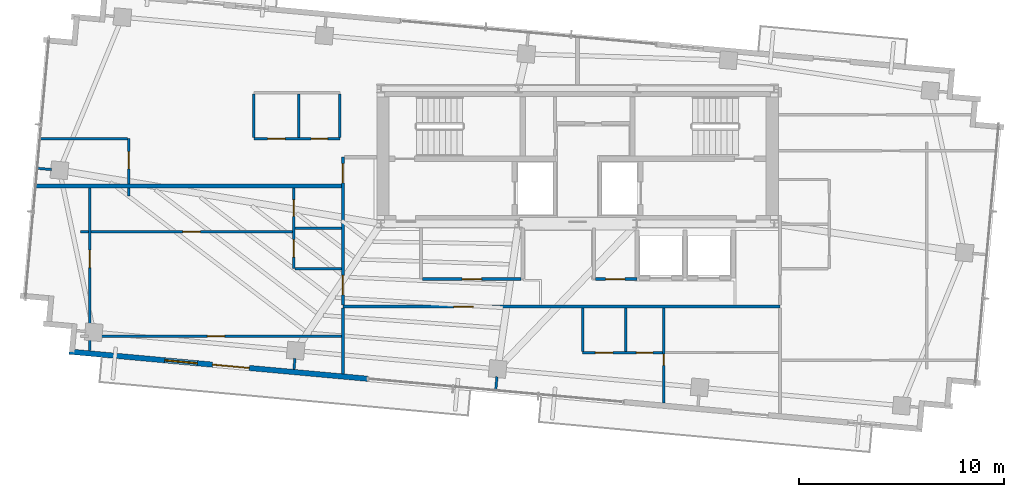
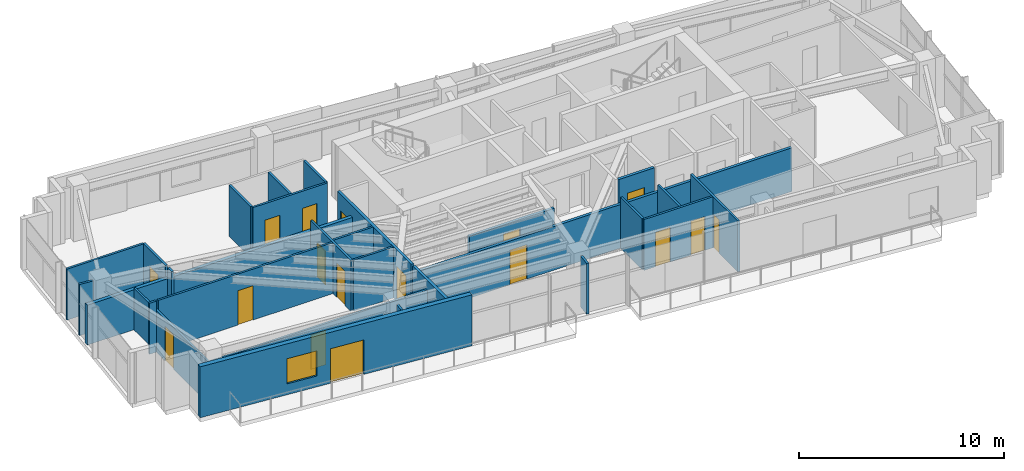
# One storey, part 16 of 22: 28 walls, 17 doors, 1 window, 18 openings.
"""IFC4 building model written with IfcOpenShell, lengths in metres."""

from ifc_helpers import new_model, si_unit, direction, frame, frame_2d, origin, place, context, subcontext, project, spatial, rectangle, extrude, source, transform, mapped, material, layer, layer_set, type_object, type_shapes, element, fill, save


model = new_model("IFC4")

# Units and contexts
model_context = context("Model", 3, precision=1e-05, world=origin(), true_north=direction((0.0, 1.0)))
body_context = subcontext(model_context, "Body", "Model", "MODEL_VIEW")
ifc_project = project(units=[si_unit("LENGTHUNIT", "METRE"), si_unit("AREAUNIT", "SQUARE_METRE"), si_unit("VOLUMEUNIT", "CUBIC_METRE"), si_unit("PLANEANGLEUNIT", "RADIAN"), si_unit("MASSUNIT", "GRAM", prefix="KILO")], contexts=[model_context])

# Site, building, storey
site_placement = place(None, origin())
site = spatial("IfcSite", under=ifc_project, at=site_placement, CompositionType="ELEMENT")
building_placement = place(site_placement, origin())
building = spatial("IfcBuilding", under=site, at=building_placement, Name="Astriad Promenade Condominiums", CompositionType="ELEMENT")
storey_placement = place(building_placement, frame((0.0, 0.0, 252.89990234375)))
storey = spatial("IfcBuildingStorey", under=building, at=storey_placement, Name="L73", CompositionType="ELEMENT", Elevation=252.89990234375)

# Wall, opening, door
ifc_material_1 = material(Name="Fire-Rated Gypsum Partition")
ifc_layer_1 = layer(ifc_material_1, 0.159912109375)
ifc_layer_set_1 = layer_set([ifc_layer_1], Name="Fire-Rated Gypsum Partition")
wall_type_1 = type_object("IfcWallType", Name="WALL-CORR-160", PredefinedType="PARTITIONING", material=ifc_layer_set_1)
wall_1_placement = place(storey_placement, frame((24.550048828125, 13.360107421875, 0.0), z_axis=(0.0, 0.0, 1.0), x_axis=(1.0, 0.0, 0.0)))
wall_1 = element("IfcWall", 1, at=wall_1_placement, inside=storey, type_object=wall_type_1, Name="PT-COR-S-L73", PredefinedType="PARTITIONING", context=body_context, shape_type="SweptSolid", body=[
    extrude(rectangle(XDim=21.329833984375, YDim=0.159912109375, at=frame_2d((10.6650390625, 0.0))), origin(), (0.0, 0.0, 1.0), 2.604736328125),
])
opening_1_placement = place(wall_1_placement, frame((5.4150390625, 0.0, 0.0)))
opening_1 = element("IfcOpeningElement", 2, at=opening_1_placement, cuts=wall_1, Name="Opening FD60-APT-095", PredefinedType="OPENING", context=body_context, shape_type="SweptSolid", body=[
    extrude(rectangle(XDim=0.949951171875, YDim=2.06005859375, at=frame_2d((0.47509765625, 1.030029296875))), frame((0.0, 0.08984375, 0.0), z_axis=(0.0, -1.0, 0.0), x_axis=(1.0, 0.0, 0.0)), (0.0, 0.0, 1.0), 0.179931640625),
])
ifc_material_2 = material(Name="Solid-Core Acoustic Timber Residence Entry Door", Category="wood")
door_type_1 = type_object("IfcDoorType", Name="FD60-APT-095", OperationType="NOTDEFINED", PredefinedType="DOOR", material=ifc_material_2)
shared_shape_1 = source(origin(), body_context, "Body", "SweptSolid", [
    extrude(rectangle(XDim=0.949951171875, YDim=2.06005859375, at=frame_2d((0.47509765625, 1.030029296875))), frame((0.0, 0.02490234375, 0.0), z_axis=(0.0, -1.0, 0.0), x_axis=(1.0, 0.0, 0.0)), (0.0, 0.0, 1.0), 0.050048828125),
])
type_shapes(door_type_1, [shared_shape_1])
door_1_placement = place(opening_1_placement, origin())
door_1 = element("IfcDoor", 3, at=door_1_placement, inside=storey, type_object=door_type_1, Name="D-ENT-L73-S1", OperationType="SINGLE_SWING_RIGHT", OverallHeight=2.06005859375, OverallWidth=0.949951171875, PredefinedType="DOOR", context=body_context, shape_type="MappedRepresentation", body=[
    mapped(shared_shape_1, transform((0.0, 0.0, 0.0), scale=1.0)),
])
fill(opening_1, door_1)

# Wall
wall_2_placement = place(storey_placement, frame((24.550048828125, 10.0771484375, 0.0), z_axis=(0.0, 0.0, 1.0), x_axis=(0.0, 1.0, 0.0)))
element("IfcWall", 4, at=wall_2_placement, inside=storey, type_object=wall_type_1, Name="PT-COR-W-L73", PredefinedType="PARTITIONING", context=body_context, shape_type="SweptSolid", body=[
    extrude(rectangle(XDim=3.200927734375, YDim=0.159912109375, at=frame_2d((1.6005859375, 0.0))), origin(), (0.0, 0.0, 1.0), 3.0400390625),
])

# Wall, openings, doors
wall_3_placement = place(storey_placement, frame((24.550048828125, 13.44189453125, 0.0), z_axis=(0.0, 0.0, 1.0), x_axis=(0.0, 1.0, 0.0)))
wall_3 = element("IfcWall", 5, at=wall_3_placement, inside=storey, type_object=wall_type_1, Name="PT-COR-W-L73-S2", PredefinedType="PARTITIONING", context=body_context, shape_type="SweptSolid", body=[
    extrude(rectangle(XDim=7.2080078125, YDim=0.159912109375, at=frame_2d((3.60400390625, 0.0))), origin(), (0.0, 0.0, 1.0), 3.0400390625),
])
opening_2_placement = place(wall_3_placement, frame((0.492919921875, 0.0, 0.0)))
opening_2 = element("IfcOpeningElement", 6, at=opening_2_placement, cuts=wall_3, Name="Opening FD60-APT-095", PredefinedType="OPENING", context=body_context, shape_type="SweptSolid", body=[
    extrude(rectangle(XDim=0.949951171875, YDim=2.06005859375, at=frame_2d((0.47509765625, 1.030029296875))), frame((0.0, 0.08984375, 0.0), z_axis=(0.0, -1.0, 0.0), x_axis=(1.0, 0.0, 0.0)), (0.0, 0.0, 1.0), 0.179931640625),
])
opening_3_placement = place(wall_3_placement, frame((5.948974609375, 0.0, 0.0)))
opening_3 = element("IfcOpeningElement", 7, at=opening_3_placement, cuts=wall_3, Name="Opening FD60-APT-095", PredefinedType="OPENING", context=body_context, shape_type="SweptSolid", body=[
    extrude(rectangle(XDim=0.949951171875, YDim=2.06005859375, at=frame_2d((0.47509765625, 1.030029296875))), frame((0.0, 0.08984375, 0.0), z_axis=(0.0, -1.0, 0.0), x_axis=(1.0, 0.0, 0.0)), (0.0, 0.0, 1.0), 0.179931640625),
])
door_2_placement = place(opening_2_placement, origin())
door_2 = element("IfcDoor", 8, at=door_2_placement, inside=storey, type_object=door_type_1, Name="D-ENT-L73-W1", OperationType="SINGLE_SWING_RIGHT", OverallHeight=2.06005859375, OverallWidth=0.949951171875, PredefinedType="DOOR", context=body_context, shape_type="MappedRepresentation", body=[
    mapped(shared_shape_1, transform((0.0, 0.0, 0.0), scale=1.0)),
])
fill(opening_2, door_2)
door_3_placement = place(opening_3_placement, origin())
door_3 = element("IfcDoor", 9, at=door_3_placement, inside=storey, type_object=door_type_1, Name="D-ENT-L73-W2", OperationType="SINGLE_SWING_RIGHT", OverallHeight=2.06005859375, OverallWidth=0.949951171875, PredefinedType="DOOR", context=body_context, shape_type="MappedRepresentation", body=[
    mapped(shared_shape_1, transform((0.0, 0.0, 0.0), scale=1.0)),
])
fill(opening_3, door_3)

# Wall, opening, door
wall_4_placement = place(storey_placement, frame((28.44189453125, 14.699951171875, 0.0), z_axis=(0.0, 0.0, 1.0), x_axis=(1.0, 0.0, 0.0)))
wall_4 = element("IfcWall", 10, at=wall_4_placement, inside=storey, type_object=wall_type_1, Name="PT-Z3REC-S-L73", PredefinedType="PARTITIONING", context=body_context, shape_type="SweptSolid", body=[
    extrude(rectangle(XDim=4.796142578125, YDim=0.159912109375, at=frame_2d((2.39794921875, 0.0))), origin(), (0.0, 0.0, 1.0), 2.604736328125),
])
opening_4_placement = place(wall_4_placement, frame((1.923095703125, 0.0, 0.0)))
opening_4 = element("IfcOpeningElement", 11, at=opening_4_placement, cuts=wall_4, Name="Opening FD60-APT-095", PredefinedType="OPENING", context=body_context, shape_type="SweptSolid", body=[
    extrude(rectangle(XDim=0.949951171875, YDim=2.06005859375, at=frame_2d((0.47509765625, 1.030029296875))), frame((0.0, 0.08984375, 0.0), z_axis=(0.0, -1.0, 0.0), x_axis=(1.0, 0.0, 0.0)), (0.0, 0.0, 1.0), 0.179931640625),
])
door_4_placement = place(opening_4_placement, origin())
door_4 = element("IfcDoor", 12, at=door_4_placement, inside=storey, type_object=door_type_1, Name="D-Z3R-L73", OperationType="SINGLE_SWING_LEFT", OverallHeight=2.06005859375, OverallWidth=0.949951171875, PredefinedType="DOOR", context=body_context, shape_type="MappedRepresentation", body=[
    mapped(shared_shape_1, transform((0.0, 0.0, 0.0), scale=1.0)),
])
fill(opening_4, door_4)

wall_5_placement = place(storey_placement, frame((36.882080078125, 14.699951171875, 0.0), z_axis=(0.0, 0.0, 1.0), x_axis=(1.0, 0.0, 0.0)))
wall_5 = element("IfcWall", 13, at=wall_5_placement, inside=storey, type_object=wall_type_1, Name="PT-Z3R2-S-L73", PredefinedType="PARTITIONING", context=body_context, shape_type="SweptSolid", body=[
    extrude(rectangle(XDim=2.017822265625, YDim=0.159912109375, at=frame_2d((1.0087890625, 0.0))), origin(), (0.0, 0.0, 1.0), 3.0400390625),
])
opening_5_placement = place(wall_5_placement, frame((0.48291015625, 0.0, 0.0)))
opening_5 = element("IfcOpeningElement", 14, at=opening_5_placement, cuts=wall_5, Name="Opening FD60-APT-095", PredefinedType="OPENING", context=body_context, shape_type="SweptSolid", body=[
    extrude(rectangle(XDim=0.949951171875, YDim=2.06005859375, at=frame_2d((0.47509765625, 1.030029296875))), frame((0.0, 0.08984375, 0.0), z_axis=(0.0, -1.0, 0.0), x_axis=(1.0, 0.0, 0.0)), (0.0, 0.0, 1.0), 0.179931640625),
])
door_5_placement = place(opening_5_placement, origin())
door_5 = element("IfcDoor", 15, at=door_5_placement, inside=storey, type_object=door_type_1, Name="D-Z3N-L73", OperationType="SINGLE_SWING_RIGHT", OverallHeight=2.06005859375, OverallWidth=0.949951171875, PredefinedType="DOOR", context=body_context, shape_type="MappedRepresentation", body=[
    mapped(shared_shape_1, transform((0.0, 0.0, 0.0), scale=1.0)),
])
fill(opening_5, door_5)

# Wall
ifc_material_3 = material(Name="Acoustic Double-Stud Gypsum Partition")
ifc_layer_2 = layer(ifc_material_3, 0.199951171875)
ifc_layer_set_2 = layer_set([ifc_layer_2], Name="Acoustic Double-Stud Gypsum Partition")
wall_type_2 = type_object("IfcWallType", Name="WALL-DEMISING-200", PredefinedType="PARTITIONING", material=ifc_layer_set_2)
wall_6_placement = place(storey_placement, frame((9.497314453125, 19.25, 0.0), z_axis=(0.0, 0.0, 1.0), x_axis=(1.0, 0.0, 0.0)))
element("IfcWall", 16, at=wall_6_placement, inside=storey, type_object=wall_type_2, Name="PT-DEM-WW-L73", PredefinedType="PARTITIONING", context=body_context, shape_type="SweptSolid", body=[
    extrude(rectangle(XDim=14.970703125, YDim=0.199951171875, at=frame_2d((7.4853515625, 0.0))), origin(), (0.0, 0.0, 1.0), 2.381591796875),
])

# Wall, openings, door, window
ifc_material_4 = material(Name="Precast concrete C50/60", Category="concrete")
ifc_layer_3 = layer(ifc_material_4, 0.260009765625)
ifc_layer_set_3 = layer_set([ifc_layer_3], Name="Precast concrete C50/60")
wall_type_3 = type_object("IfcWallType", Name="WALL-EXT-TWR-260", PredefinedType="STANDARD", material=ifc_layer_set_3)
wall_7_placement = place(storey_placement, frame((25.760986328125, 9.83447265625, 0.0), z_axis=(0.0, 0.0, 1.0), x_axis=(-0.995884584572, 0.090630536861, 0.0)))
wall_7 = element("IfcWall", 17, at=wall_7_placement, inside=storey, type_object=wall_type_3, Name="W-EXT-L73-S2", PredefinedType="STANDARD", context=body_context, shape_type="SweptSolid", body=[
    extrude(rectangle(XDim=14.630126953125, YDim=0.260009765625, at=frame_2d((7.31494140625, 0.0))), origin(), (0.0, 0.0, 1.0), 3.0400390625),
])
opening_6_placement = place(wall_7_placement, frame((5.81005859375, 0.0, 0.0)))
opening_6 = element("IfcOpeningElement", 18, at=opening_6_placement, cuts=wall_7, Name="Opening BD-1822-SLD", PredefinedType="OPENING", context=body_context, shape_type="SweptSolid", body=[
    extrude(rectangle(XDim=1.800048828125, YDim=2.06005859375, at=frame_2d((0.89990234375, 1.030029296875))), frame((0.0, 0.139892578125, 0.0), z_axis=(0.0, -1.0, 0.0), x_axis=(1.0, 0.0, 0.0)), (0.0, 0.0, 1.0), 0.280029296875),
])
opening_7_placement = place(wall_7_placement, frame((8.35009765625, 0.0, 0.64990234375)))
opening_7 = element("IfcOpeningElement", 19, at=opening_7_placement, cuts=wall_7, Name="Opening WIN-TWR-1620", PredefinedType="OPENING", context=body_context, shape_type="SweptSolid", body=[
    extrude(rectangle(XDim=1.60009765625, YDim=1.5, at=frame_2d((0.800048828125, 0.75))), frame((0.0, 0.139892578125, 0.0), z_axis=(0.0, -1.0, 0.0), x_axis=(1.0, 0.0, 0.0)), (0.0, 0.0, 1.0), 0.280029296875),
])
ifc_material_5 = material(Name="Thermally Broken Aluminium Sliding Balcony Door", Category="aluminium")
door_type_2 = type_object("IfcDoorType", Name="BD-1822-SLD", OperationType="NOTDEFINED", PredefinedType="DOOR", material=ifc_material_5)
shared_shape_2 = source(origin(), body_context, "Body", "SweptSolid", [
    extrude(rectangle(XDim=1.800048828125, YDim=2.06005859375, at=frame_2d((0.89990234375, 1.030029296875))), frame((0.0, 0.02490234375, 0.0), z_axis=(0.0, -1.0, 0.0), x_axis=(1.0, 0.0, 0.0)), (0.0, 0.0, 1.0), 0.050048828125),
])
type_shapes(door_type_2, [shared_shape_2])
door_6_placement = place(opening_6_placement, origin())
door_6 = element("IfcDoor", 20, at=door_6_placement, inside=storey, type_object=door_type_2, Name="BD-L73-SW", OperationType="SLIDING_TO_LEFT", OverallHeight=2.06005859375, OverallWidth=1.800048828125, PredefinedType="DOOR", context=body_context, shape_type="MappedRepresentation", body=[
    mapped(shared_shape_2, transform((0.0, 0.0, 0.0), scale=1.0)),
])
fill(opening_6, door_6)
ifc_material_6 = material(Name="Dark Tinted Triple-Glazed Aluminium Window", Category="aluminium")
window_type = type_object("IfcWindowType", Name="WIN-TWR-1620", PartitioningType="SINGLE_PANEL", PredefinedType="WINDOW", material=ifc_material_6)
shared_shape_3 = source(origin(), body_context, "Body", "SweptSolid", [
    extrude(rectangle(XDim=1.60009765625, YDim=1.5, at=frame_2d((0.800048828125, 0.75))), frame((0.0, 0.030029296875, 0.0), z_axis=(0.0, -1.0, 0.0), x_axis=(1.0, 0.0, 0.0)), (0.0, 0.0, 1.0), 0.06005859375),
])
type_shapes(window_type, [shared_shape_3])
window_placement = place(opening_7_placement, origin())
window = element("IfcWindow", 21, at=window_placement, inside=storey, type_object=window_type, Name="WIN-L73-SW", OverallHeight=1.5, OverallWidth=1.60009765625, PartitioningType="SINGLE_PANEL", PredefinedType="WINDOW", context=body_context, shape_type="MappedRepresentation", body=[
    mapped(shared_shape_3, transform((0.0, 0.0, 0.0), scale=1.0)),
])
fill(opening_7, window)

# Wall, opening, door
ifc_material_7 = material(Name="Acoustic Metal-Stud Gypsum Partition")
ifc_layer_4 = layer(ifc_material_7, 0.1201171875)
ifc_layer_set_4 = layer_set([ifc_layer_4], Name="Acoustic Metal-Stud Gypsum Partition")
wall_type_4 = type_object("IfcWallType", Name="WALL-PART-120", PredefinedType="PARTITIONING", material=ifc_layer_set_4)
wall_8_placement = place(storey_placement, frame((40.199951171875, 8.65283203125, 0.0), z_axis=(0.0, 0.0, 1.0), x_axis=(0.0, 1.0, 0.0)))
wall_8 = element("IfcWall", 22, at=wall_8_placement, inside=storey, type_object=wall_type_4, Name="PT-L73-S1-BD1", PredefinedType="PARTITIONING", context=body_context, shape_type="SweptSolid", body=[
    extrude(rectangle(XDim=4.625244140625, YDim=0.1201171875, at=frame_2d((2.3125, 0.0))), origin(), (0.0, 0.0, 1.0), 3.0400390625),
])
opening_8_placement = place(wall_8_placement, frame((1.832275390625, 0.0, 0.0)))
opening_8 = element("IfcOpeningElement", 23, at=opening_8_placement, cuts=wall_8, Name="Opening D-AC-055", PredefinedType="OPENING", context=body_context, shape_type="SweptSolid", body=[
    extrude(rectangle(XDim=0.550048828125, YDim=2.0, at=frame_2d((0.27490234375, 1.0))), frame((0.0, 0.070068359375, 0.0), z_axis=(0.0, -1.0, 0.0), x_axis=(1.0, 0.0, 0.0)), (0.0, 0.0, 1.0), 0.14013671875),
])
ifc_material_8 = material(Name="Painted Timber Access Door", Category="wood")
door_type_3 = type_object("IfcDoorType", Name="D-AC-055", OperationType="NOTDEFINED", PredefinedType="DOOR", material=ifc_material_8)
shared_shape_4 = source(origin(), body_context, "Body", "SweptSolid", [
    extrude(rectangle(XDim=0.550048828125, YDim=2.0, at=frame_2d((0.27490234375, 1.0))), frame((0.0, 0.02490234375, 0.0), z_axis=(0.0, -1.0, 0.0), x_axis=(1.0, 0.0, 0.0)), (0.0, 0.0, 1.0), 0.050048828125),
])
type_shapes(door_type_3, [shared_shape_4])
door_7_placement = place(opening_8_placement, origin())
door_7 = element("IfcDoor", 24, at=door_7_placement, inside=storey, type_object=door_type_3, Name="D-BD1-L73-S1", OperationType="SINGLE_SWING_LEFT", OverallHeight=2.0, OverallWidth=0.550048828125, PredefinedType="DOOR", context=body_context, shape_type="MappedRepresentation", body=[
    mapped(shared_shape_4, transform((0.0, 0.0, 0.0), scale=1.0)),
])
fill(opening_8, door_7)

# Wall, openings, doors
wall_9_placement = place(storey_placement, frame((36.25, 11.110107421875, 0.0), z_axis=(0.0, 0.0, 1.0), x_axis=(1.0, 0.0, 0.0)))
wall_9 = element("IfcWall", 25, at=wall_9_placement, inside=storey, type_object=wall_type_4, Name="PT-L73-S1-PS", PredefinedType="PARTITIONING", context=body_context, shape_type="SweptSolid", body=[
    extrude(rectangle(XDim=3.887939453125, YDim=0.1201171875, at=frame_2d((1.94384765625, 0.0))), origin(), (0.0, 0.0, 1.0), 3.0400390625),
])
opening_9_placement = place(wall_9_placement, frame((0.625, 0.0, 0.0)))
opening_9 = element("IfcOpeningElement", 26, at=opening_9_placement, cuts=wall_9, Name="Opening D-INT-085", PredefinedType="OPENING", context=body_context, shape_type="SweptSolid", body=[
    extrude(rectangle(XDim=0.85009765625, YDim=2.050048828125, at=frame_2d((0.425048828125, 1.02490234375))), frame((0.0, 0.070068359375, 0.0), z_axis=(0.0, -1.0, 0.0), x_axis=(1.0, 0.0, 0.0)), (0.0, 0.0, 1.0), 0.14013671875),
])
opening_10_placement = place(wall_9_placement, frame((2.625, 0.0, 0.0)))
opening_10 = element("IfcOpeningElement", 27, at=opening_10_placement, cuts=wall_9, Name="Opening D-WET-080", PredefinedType="OPENING", context=body_context, shape_type="SweptSolid", body=[
    extrude(rectangle(XDim=0.800048828125, YDim=2.02001953125, at=frame_2d((0.39990234375, 1.010009765625))), frame((0.0, 0.070068359375, 0.0), z_axis=(0.0, -1.0, 0.0), x_axis=(1.0, 0.0, 0.0)), (0.0, 0.0, 1.0), 0.14013671875),
])
ifc_material_9 = material(Name="Moisture-Resistant Timber Bathroom Door", Category="wood")
door_type_4 = type_object("IfcDoorType", Name="D-WET-080", OperationType="NOTDEFINED", PredefinedType="DOOR", material=ifc_material_9)
shared_shape_5 = source(origin(), body_context, "Body", "SweptSolid", [
    extrude(rectangle(XDim=0.800048828125, YDim=2.02001953125, at=frame_2d((0.39990234375, 1.010009765625))), frame((0.0, 0.02490234375, 0.0), z_axis=(0.0, -1.0, 0.0), x_axis=(1.0, 0.0, 0.0)), (0.0, 0.0, 1.0), 0.050048828125),
])
type_shapes(door_type_4, [shared_shape_5])
door_8_placement = place(opening_10_placement, origin())
door_8 = element("IfcDoor", 28, at=door_8_placement, inside=storey, type_object=door_type_4, Name="D-BTH-L73-S1", OperationType="SINGLE_SWING_LEFT", OverallHeight=2.02001953125, OverallWidth=0.800048828125, PredefinedType="DOOR", context=body_context, shape_type="MappedRepresentation", body=[
    mapped(shared_shape_5, transform((0.0, 0.0, 0.0), scale=1.0)),
])
fill(opening_10, door_8)
ifc_material_10 = material(Name="Painted Solid-Core Timber Room Door", Category="wood")
door_type_5 = type_object("IfcDoorType", Name="D-INT-085", OperationType="NOTDEFINED", PredefinedType="DOOR", material=ifc_material_10)
shared_shape_6 = source(origin(), body_context, "Body", "SweptSolid", [
    extrude(rectangle(XDim=0.85009765625, YDim=2.050048828125, at=frame_2d((0.425048828125, 1.02490234375))), frame((0.0, 0.02490234375, 0.0), z_axis=(0.0, -1.0, 0.0), x_axis=(1.0, 0.0, 0.0)), (0.0, 0.0, 1.0), 0.050048828125),
])
type_shapes(door_type_5, [shared_shape_6])
door_9_placement = place(opening_9_placement, origin())
door_9 = element("IfcDoor", 29, at=door_9_placement, inside=storey, type_object=door_type_5, Name="D-KIT-L73-S1", OperationType="SINGLE_SWING_RIGHT", OverallHeight=2.050048828125, OverallWidth=0.85009765625, PredefinedType="DOOR", context=body_context, shape_type="MappedRepresentation", body=[
    mapped(shared_shape_6, transform((0.0, 0.0, 0.0), scale=1.0)),
])
fill(opening_9, door_9)

# Walls
for number, where, z_axis, x_axis, name in (
    (30, (38.35009765625, 11.172119140625, 0.0), (0.0, 0.0, 1.0), (0.0, 1.0, 0.0), "PT-L73-S1-PBK"),
    (31, (36.25, 11.172119140625, 0.0), (0.0, 0.0, 1.0), (0.0, 1.0, 0.0), "PT-L73-S1-PKW"),
):
    element("IfcWall", number, at=place(storey_placement, frame(where, z_axis=z_axis, x_axis=x_axis)), inside=storey, type_object=wall_type_4, Name=name, PredefinedType="PARTITIONING", context=body_context, shape_type="SweptSolid", body=[
        extrude(rectangle(XDim=2.10595703125, YDim=0.1201171875, at=frame_2d((1.052978515625, 0.0))), origin(), (0.0, 0.0, 1.0), 3.0400390625),
    ])

# Wall, openings, doors
wall_10_placement = place(storey_placement, frame((22.14990234375, 15.2099609375, 0.0), z_axis=(0.0, 0.0, 1.0), x_axis=(0.0, 1.0, 0.0)))
wall_10 = element("IfcWall", 32, at=wall_10_placement, inside=storey, type_object=wall_type_4, Name="PT-L73-W1-PV", PredefinedType="PARTITIONING", context=body_context, shape_type="SweptSolid", body=[
    extrude(rectangle(XDim=3.93798828125, YDim=0.1201171875, at=frame_2d((1.968994140625, 0.0))), origin(), (0.0, 0.0, 1.0), 3.0400390625),
])
opening_11_placement = place(wall_10_placement, frame((0.56005859375, 0.0, 0.0)))
opening_11 = element("IfcOpeningElement", 33, at=opening_11_placement, cuts=wall_10, Name="Opening D-INT-085", PredefinedType="OPENING", context=body_context, shape_type="SweptSolid", body=[
    extrude(rectangle(XDim=0.85009765625, YDim=2.050048828125, at=frame_2d((0.425048828125, 1.02490234375))), frame((0.0, 0.070068359375, 0.0), z_axis=(0.0, -1.0, 0.0), x_axis=(1.0, 0.0, 0.0)), (0.0, 0.0, 1.0), 0.14013671875),
])
opening_12_placement = place(wall_10_placement, frame((2.554931640625, 0.0, 0.0)))
opening_12 = element("IfcOpeningElement", 34, at=opening_12_placement, cuts=wall_10, Name="Opening D-WET-080", PredefinedType="OPENING", context=body_context, shape_type="SweptSolid", body=[
    extrude(rectangle(XDim=0.800048828125, YDim=2.02001953125, at=frame_2d((0.39990234375, 1.010009765625))), frame((0.0, 0.070068359375, 0.0), z_axis=(0.0, -1.0, 0.0), x_axis=(1.0, 0.0, 0.0)), (0.0, 0.0, 1.0), 0.14013671875),
])
door_10_placement = place(opening_12_placement, origin())
door_10 = element("IfcDoor", 35, at=door_10_placement, inside=storey, type_object=door_type_4, Name="D-BTH-L73-W1", OperationType="SINGLE_SWING_RIGHT", OverallHeight=2.02001953125, OverallWidth=0.800048828125, PredefinedType="DOOR", context=body_context, shape_type="MappedRepresentation", body=[
    mapped(shared_shape_5, transform((0.0, 0.0, 0.0), scale=1.0)),
])
fill(opening_12, door_10)
door_11_placement = place(opening_11_placement, origin())
door_11 = element("IfcDoor", 36, at=door_11_placement, inside=storey, type_object=door_type_5, Name="D-KIT-L73-W1", OperationType="SINGLE_SWING_LEFT", OverallHeight=2.050048828125, OverallWidth=0.85009765625, PredefinedType="DOOR", context=body_context, shape_type="MappedRepresentation", body=[
    mapped(shared_shape_6, transform((0.0, 0.0, 0.0), scale=1.0)),
])
fill(opening_11, door_11)

# Walls
for number, where, z_axis, x_axis, name in (
    (37, (22.2119140625, 17.179931640625, 0.0), (0.0, 0.0, 1.0), (1.0, 0.0, 0.0), "PT-L73-W1-PM"),
    (38, (22.2119140625, 15.2099609375, 0.0), (0.0, 0.0, 1.0), (1.0, 0.0, 0.0), "PT-L73-W1-PS"),
):
    element("IfcWall", number, at=place(storey_placement, frame(where, z_axis=z_axis, x_axis=x_axis)), inside=storey, type_object=wall_type_4, Name=name, PredefinedType="PARTITIONING", context=body_context, shape_type="SweptSolid", body=[
        extrude(rectangle(XDim=2.256103515625, YDim=0.1201171875, at=frame_2d((1.1279296875, 0.0))), origin(), (0.0, 0.0, 1.0), 3.0400390625),
    ])

# Wall, opening, door
wall_11_placement = place(storey_placement, frame((12.180908203125, 11.202880859375, 0.0), z_axis=(0.0, 0.0, 1.0), x_axis=(0.0, 1.0, 0.0)))
wall_11 = element("IfcWall", 39, at=wall_11_placement, inside=storey, type_object=wall_type_4, Name="PT-L73-W1-B1", PredefinedType="PARTITIONING", context=body_context, shape_type="SweptSolid", body=[
    extrude(rectangle(XDim=7.945068359375, YDim=0.1201171875, at=frame_2d((3.97265625, 0.0))), origin(), (0.0, 0.0, 1.0), 2.482666015625),
])
opening_13_placement = place(wall_11_placement, frame((4.05908203125, 0.0, 0.0)))
opening_13 = element("IfcOpeningElement", 40, at=opening_13_placement, cuts=wall_11, Name="Opening D-INT-085", PredefinedType="OPENING", context=body_context, shape_type="SweptSolid", body=[
    extrude(rectangle(XDim=0.85009765625, YDim=2.050048828125, at=frame_2d((0.425048828125, 1.02490234375))), frame((0.0, 0.070068359375, 0.0), z_axis=(0.0, -1.0, 0.0), x_axis=(1.0, 0.0, 0.0)), (0.0, 0.0, 1.0), 0.14013671875),
])
door_12_placement = place(opening_13_placement, origin())
door_12 = element("IfcDoor", 41, at=door_12_placement, inside=storey, type_object=door_type_5, Name="D-BD1-L73-W1", OperationType="SINGLE_SWING_LEFT", OverallHeight=2.050048828125, OverallWidth=0.85009765625, PredefinedType="DOOR", context=body_context, shape_type="MappedRepresentation", body=[
    mapped(shared_shape_6, transform((0.0, 0.0, 0.0), scale=1.0)),
])
fill(opening_13, door_12)

# Wall
wall_12_placement = place(storey_placement, frame((11.740966796875, 17.010986328125, 0.0), z_axis=(0.0, 0.0, 1.0), x_axis=(1.0, 0.0, 0.0)))
element("IfcWall", 42, at=wall_12_placement, inside=storey, type_object=wall_type_4, Name="PT-L73-W1-WDN1", PredefinedType="PARTITIONING", context=body_context, shape_type="SweptSolid", body=[
    extrude(rectangle(XDim=0.3779296875, YDim=0.1201171875, at=frame_2d((0.18896484375, 0.0))), origin(), (0.0, 0.0, 1.0), 3.0400390625),
])

# Wall, opening, door
wall_13_placement = place(storey_placement, frame((12.242919921875, 17.010986328125, 0.0), z_axis=(0.0, 0.0, 1.0), x_axis=(1.0, 0.0, 0.0)))
wall_13 = element("IfcWall", 43, at=wall_13_placement, inside=storey, type_object=wall_type_4, Name="PT-L73-W1-WDN1-S2", PredefinedType="PARTITIONING", context=body_context, shape_type="SweptSolid", body=[
    extrude(rectangle(XDim=9.844970703125, YDim=0.1201171875, at=frame_2d((4.92236328125, 0.0))), origin(), (0.0, 0.0, 1.0), 3.0400390625),
])
opening_14_placement = place(wall_13_placement, frame((4.4970703125, 0.0, 0.0)))
opening_14 = element("IfcOpeningElement", 44, at=opening_14_placement, cuts=wall_13, Name="Opening D-INT-085", PredefinedType="OPENING", context=body_context, shape_type="SweptSolid", body=[
    extrude(rectangle(XDim=0.85009765625, YDim=2.050048828125, at=frame_2d((0.425048828125, 1.02490234375))), frame((0.0, 0.070068359375, 0.0), z_axis=(0.0, -1.0, 0.0), x_axis=(1.0, 0.0, 0.0)), (0.0, 0.0, 1.0), 0.14013671875),
])
door_13_placement = place(opening_14_placement, origin())
door_13 = element("IfcDoor", 45, at=door_13_placement, inside=storey, type_object=door_type_5, Name="D-WDN1-L73-W1", OperationType="SINGLE_SWING_RIGHT", OverallHeight=2.050048828125, OverallWidth=0.85009765625, PredefinedType="DOOR", context=body_context, shape_type="MappedRepresentation", body=[
    mapped(shared_shape_6, transform((0.0, 0.0, 0.0), scale=1.0)),
])
fill(opening_14, door_13)

wall_14_placement = place(storey_placement, frame((12.242919921875, 11.905029296875, 0.0), z_axis=(0.0, 0.0, 1.0), x_axis=(1.0, 0.0, 0.0)))
wall_14 = element("IfcWall", 46, at=wall_14_placement, inside=storey, type_object=wall_type_4, Name="PT-L73-W1-WDS2-S2", PredefinedType="PARTITIONING", context=body_context, shape_type="SweptSolid", body=[
    extrude(rectangle(XDim=12.22509765625, YDim=0.1201171875, at=frame_2d((6.112548828125, 0.0))), origin(), (0.0, 0.0, 1.0), 2.482666015625),
])
opening_15_placement = place(wall_14_placement, frame((5.68701171875, 0.0, 0.0)))
opening_15 = element("IfcOpeningElement", 47, at=opening_15_placement, cuts=wall_14, Name="Opening D-INT-085", PredefinedType="OPENING", context=body_context, shape_type="SweptSolid", body=[
    extrude(rectangle(XDim=0.85009765625, YDim=2.050048828125, at=frame_2d((0.425048828125, 1.02490234375))), frame((0.0, 0.070068359375, 0.0), z_axis=(0.0, -1.0, 0.0), x_axis=(1.0, 0.0, 0.0)), (0.0, 0.0, 1.0), 0.14013671875),
])
door_14_placement = place(opening_15_placement, origin())
door_14 = element("IfcDoor", 48, at=door_14_placement, inside=storey, type_object=door_type_5, Name="D-WDS2-L73-W1", OperationType="SINGLE_SWING_LEFT", OverallHeight=2.050048828125, OverallWidth=0.85009765625, PredefinedType="DOOR", context=body_context, shape_type="MappedRepresentation", body=[
    mapped(shared_shape_6, transform((0.0, 0.0, 0.0), scale=1.0)),
])
fill(opening_15, door_14)

# Wall, openings, doors
wall_15_placement = place(storey_placement, frame((20.199951171875, 21.550048828125, 0.0), z_axis=(0.0, 0.0, 1.0), x_axis=(1.0, 0.0, 0.0)))
wall_15 = element("IfcWall", 49, at=wall_15_placement, inside=storey, type_object=wall_type_4, Name="PT-L73-W2-PH", PredefinedType="PARTITIONING", context=body_context, shape_type="SweptSolid", body=[
    extrude(rectangle(XDim=4.199951171875, YDim=0.1201171875, at=frame_2d((2.10009765625, 0.0))), origin(), (0.0, 0.0, 1.0), 3.0400390625),
])
opening_16_placement = place(wall_15_placement, frame((0.675048828125, 0.0, 0.0)))
opening_16 = element("IfcOpeningElement", 50, at=opening_16_placement, cuts=wall_15, Name="Opening D-INT-085", PredefinedType="OPENING", context=body_context, shape_type="SweptSolid", body=[
    extrude(rectangle(XDim=0.85009765625, YDim=2.050048828125, at=frame_2d((0.425048828125, 1.02490234375))), frame((0.0, 0.070068359375, 0.0), z_axis=(0.0, -1.0, 0.0), x_axis=(1.0, 0.0, 0.0)), (0.0, 0.0, 1.0), 0.14013671875),
])
opening_17_placement = place(wall_15_placement, frame((2.800048828125, 0.0, 0.0)))
opening_17 = element("IfcOpeningElement", 51, at=opening_17_placement, cuts=wall_15, Name="Opening D-WET-080", PredefinedType="OPENING", context=body_context, shape_type="SweptSolid", body=[
    extrude(rectangle(XDim=0.800048828125, YDim=2.02001953125, at=frame_2d((0.39990234375, 1.010009765625))), frame((0.0, 0.070068359375, 0.0), z_axis=(0.0, -1.0, 0.0), x_axis=(1.0, 0.0, 0.0)), (0.0, 0.0, 1.0), 0.14013671875),
])
door_15_placement = place(opening_17_placement, origin())
door_15 = element("IfcDoor", 52, at=door_15_placement, inside=storey, type_object=door_type_4, Name="D-BTH-L73-W2", OperationType="SINGLE_SWING_LEFT", OverallHeight=2.02001953125, OverallWidth=0.800048828125, PredefinedType="DOOR", context=body_context, shape_type="MappedRepresentation", body=[
    mapped(shared_shape_5, transform((0.0, 0.0, 0.0), scale=1.0)),
])
fill(opening_17, door_15)
door_16_placement = place(opening_16_placement, origin())
door_16 = element("IfcDoor", 53, at=door_16_placement, inside=storey, type_object=door_type_5, Name="D-KIT-L73-W2", OperationType="SINGLE_SWING_RIGHT", OverallHeight=2.050048828125, OverallWidth=0.85009765625, PredefinedType="DOOR", context=body_context, shape_type="MappedRepresentation", body=[
    mapped(shared_shape_6, transform((0.0, 0.0, 0.0), scale=1.0)),
])
fill(opening_16, door_16)

# Walls
for number, where, z_axis, x_axis, name in (
    (54, (20.199951171875, 21.612060546875, 0.0), (0.0, 0.0, 1.0), (0.0, 1.0, 0.0), "PT-L73-W2-PK1"),
    (55, (22.39990234375, 21.612060546875, 0.0), (0.0, 0.0, 1.0), (0.0, 1.0, 0.0), "PT-L73-W2-PK2"),
    (56, (24.39990234375, 21.612060546875, 0.0), (0.0, 0.0, 1.0), (0.0, 1.0, 0.0), "PT-L73-W2-PK3"),
):
    element("IfcWall", number, at=place(storey_placement, frame(where, z_axis=z_axis, x_axis=x_axis)), inside=storey, type_object=wall_type_4, Name=name, PredefinedType="PARTITIONING", context=body_context, shape_type="SweptSolid", body=[
        extrude(rectangle(XDim=2.1259765625, YDim=0.1201171875, at=frame_2d((1.06298828125, 0.0))), origin(), (0.0, 0.0, 1.0), 3.0400390625),
    ])
wall_16_placement = place(storey_placement, frame((14.0859375, 18.75, 0.0), z_axis=(0.0, 0.0, 1.0), x_axis=(0.0, 1.0, 0.0)))
element("IfcWall", 57, at=wall_16_placement, inside=storey, type_object=wall_type_4, Name="PT-L73-W2-CAP1", PredefinedType="PARTITIONING", context=body_context, shape_type="SweptSolid", body=[
    extrude(rectangle(XDim=0.39794921875, YDim=0.1201171875, at=frame_2d((0.198974609375, 0.0))), origin(), (0.0, 0.0, 1.0), 3.0400390625),
])

# Wall, opening, door
wall_17_placement = place(storey_placement, frame((14.0859375, 19.35205078125, 0.0), z_axis=(0.0, 0.0, 1.0), x_axis=(0.0, 1.0, 0.0)))
wall_17 = element("IfcWall", 58, at=wall_17_placement, inside=storey, type_object=wall_type_4, Name="PT-L73-W2-CAP1-S2", PredefinedType="PARTITIONING", context=body_context, shape_type="SweptSolid", body=[
    extrude(rectangle(XDim=2.197998046875, YDim=0.1201171875, at=frame_2d((1.09912109375, 0.0))), origin(), (0.0, 0.0, 1.0), 3.0400390625),
])
opening_18_placement = place(wall_17_placement, frame((0.722900390625, 0.0, 0.0)))
opening_18 = element("IfcOpeningElement", 59, at=opening_18_placement, cuts=wall_17, Name="Opening D-INT-085", PredefinedType="OPENING", context=body_context, shape_type="SweptSolid", body=[
    extrude(rectangle(XDim=0.85009765625, YDim=2.050048828125, at=frame_2d((0.425048828125, 1.02490234375))), frame((0.0, 0.070068359375, 0.0), z_axis=(0.0, -1.0, 0.0), x_axis=(1.0, 0.0, 0.0)), (0.0, 0.0, 1.0), 0.14013671875),
])
door_17_placement = place(opening_18_placement, origin())
door_17 = element("IfcDoor", 60, at=door_17_placement, inside=storey, type_object=door_type_5, Name="D-CAP1-L73-W2", OperationType="SINGLE_SWING_LEFT", OverallHeight=2.050048828125, OverallWidth=0.85009765625, PredefinedType="DOOR", context=body_context, shape_type="MappedRepresentation", body=[
    mapped(shared_shape_6, transform((0.0, 0.0, 0.0), scale=1.0)),
])
fill(opening_18, door_17)

# Walls
wall_18_placement = place(storey_placement, frame((9.706787109375, 21.550048828125, 0.0), z_axis=(0.0, 0.0, 1.0), x_axis=(1.0, 0.0, 0.0)))
element("IfcWall", 61, at=wall_18_placement, inside=storey, type_object=wall_type_4, Name="PT-L73-W2-CAP1H", PredefinedType="PARTITIONING", context=body_context, shape_type="SweptSolid", body=[
    extrude(rectangle(XDim=4.317138671875, YDim=0.1201171875, at=frame_2d((2.15869140625, 0.0))), origin(), (0.0, 0.0, 1.0), 3.0400390625),
])
wall_19_placement = place(storey_placement, frame((22.206787109375, 10.83056640625, 0.0), z_axis=(0.0, 0.0, 1.0), x_axis=(-0.090781299264, -0.995870852924, 0.0)))
element("IfcWall", 62, at=wall_19_placement, inside=storey, type_object=wall_type_4, Name="PT-PIL-L73-PC02-9", PredefinedType="PARTITIONING", context=body_context, shape_type="SweptSolid", body=[
    extrude(rectangle(XDim=0.537841796875, YDim=0.1201171875, at=frame_2d((0.26904296875, 0.0))), origin(), (0.0, 0.0, 1.0), 3.0400390625),
])
wall_20_placement = place(storey_placement, frame((32.06591796875, 9.933349609375, 0.0), z_axis=(0.0, 0.0, 1.0), x_axis=(-0.090872036342, -0.995862577373, 0.0)))
element("IfcWall", 63, at=wall_20_placement, inside=storey, type_object=wall_type_4, Name="PT-PIL-L73-PC03-10", PredefinedType="PARTITIONING", context=body_context, shape_type="SweptSolid", body=[
    extrude(rectangle(XDim=0.719970703125, YDim=0.1201171875, at=frame_2d((0.35986328125, 0.0))), origin(), (0.0, 0.0, 1.0), 3.0400390625),
])
wall_21_placement = place(storey_placement, frame((10.3330078125, 20.044677734375, 0.0), z_axis=(0.0, 0.0, 1.0), x_axis=(-0.995890573658, 0.09056470228, 0.0)))
element("IfcWall", 64, at=wall_21_placement, inside=storey, type_object=wall_type_4, Name="PT-PIL-L73-PC11-18", PredefinedType="PARTITIONING", context=body_context, shape_type="SweptSolid", body=[
    extrude(rectangle(XDim=0.76025390625, YDim=0.1201171875, at=frame_2d((0.380126953125, 0.0))), origin(), (0.0, 0.0, 1.0), 3.0400390625),
])

save(model, "model.ifc")
